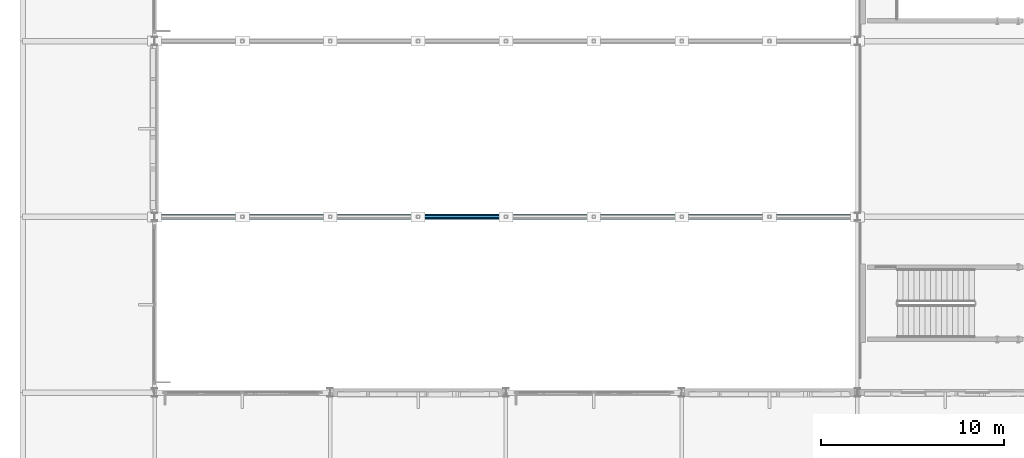
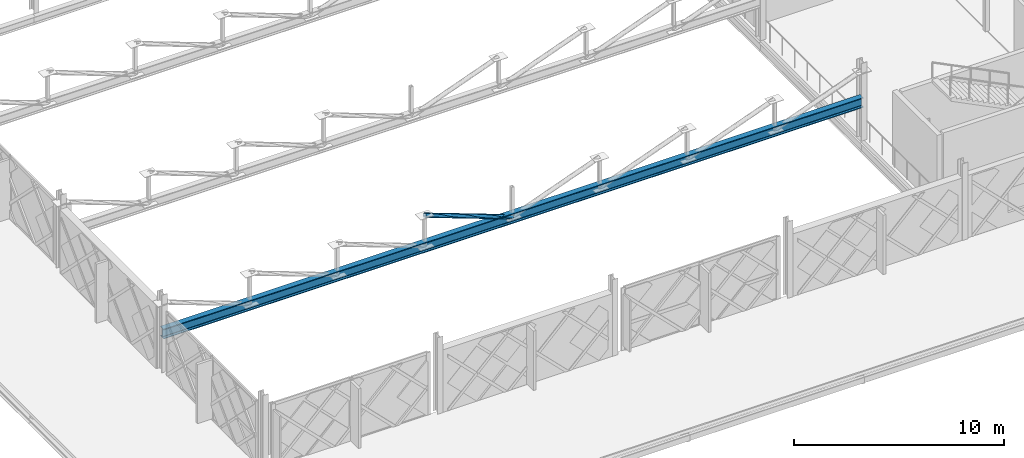
# One storey, part 25 of 101: 2 members.
"""IFC4 building model written with IfcOpenShell, lengths in metres."""

from ifc_helpers import new_model, si_unit, direction, frame, origin, origin_2d, place, context, subcontext, project, spatial, hollow_circle, i_section, extrude, material, material_profile, profile_set, type_object, element, save


model = new_model("IFC4")

# Units and contexts
model_context = context("Model", 3, precision=1e-05, world=origin(), true_north=direction((0.0, 1.0)))
body_context = subcontext(model_context, "Body", "Model", "MODEL_VIEW")
ifc_project = project(units=[si_unit("LENGTHUNIT", "METRE"), si_unit("AREAUNIT", "SQUARE_METRE"), si_unit("VOLUMEUNIT", "CUBIC_METRE"), si_unit("PLANEANGLEUNIT", "RADIAN"), si_unit("MASSUNIT", "GRAM", prefix="KILO")], contexts=[model_context])

# Site, building, storey
site_placement = place(None, origin())
site = spatial("IfcSite", under=ifc_project, at=site_placement, CompositionType="ELEMENT")
building_placement = place(site_placement, origin())
building = spatial("IfcBuilding", under=site, at=building_placement, Name="Zevrakil Square Congress Hotel", CompositionType="ELEMENT")
storey_placement = place(building_placement, frame((0.0, 0.0, 5.39990234375)))
storey = spatial("IfcBuildingStorey", under=building, at=storey_placement, Name="L02", CompositionType="ELEMENT", Elevation=5.39990234375)

# Members
ifc_material_1 = material(Name="Steel S355", Category="steel")
ifc_material_profile_1 = material_profile(ifc_material_1, hollow_circle(Radius=0.122314453125, WallThickness=0.012451171875, at=origin_2d()), Name="CHS 244.5x12.5")
ifc_profile_set_1 = profile_set([ifc_material_profile_1], Name="Steel S355")
member_type_1 = type_object("IfcMemberType", Name="MEM-BRACE-CHS244", PredefinedType="BRACE", material=ifc_profile_set_1)
member_1_placement = place(storey_placement, frame((21.60009765625, 16.800048828125, 3.925048828125), z_axis=(0.937927036135, 0.0, -0.346832632386), x_axis=(0.0, 1.0, 0.0)))
element("IfcMember", 1, at=member_1_placement, inside=storey, type_object=member_type_1, Name="Ballroom Pratt truss diagonal BTD-13", PredefinedType="BRACE", context=body_context, shape_type="SweptSolid", body=[
    extrude(hollow_circle(Radius=0.122314453125, WallThickness=0.012451171875, at=origin_2d()), origin(), (0.0, 0.0, 1.0), 5.117431640625),
])
ifc_material_2 = material(Name="Steel S355", Category="steel")
ifc_material_profile_2 = material_profile(ifc_material_2, i_section(OverallWidth=0.305908203125, OverallDepth=0.572021484375, WebThickness=0.02099609375, FlangeThickness=0.0400390625, FilletRadius=0.027099609375, at=origin_2d()), Name="HEM 550")
ifc_profile_set_2 = profile_set([ifc_material_profile_2], Name="Steel S355")
member_type_2 = type_object("IfcMemberType", Name="MEM-CHORD-HEM550", PredefinedType="CHORD", material=ifc_profile_set_2)
member_2_placement = place(storey_placement, frame((7.199951171875, 16.800048828125, 2.150146484375), z_axis=(1.0, 0.0, 0.0), x_axis=(0.0, 1.0, 0.0)))
element("IfcMember", 2, at=member_2_placement, inside=storey, type_object=member_type_2, Name="Ballroom Pratt truss bottom chord BBC-01", PredefinedType="CHORD", context=body_context, shape_type="SweptSolid", body=[
    extrude(i_section(OverallWidth=0.305908203125, OverallDepth=0.572021484375, WebThickness=0.02099609375, FlangeThickness=0.0400390625, FilletRadius=0.027099609375, at=origin_2d()), origin(), (0.0, 0.0, 1.0), 38.400146484375),
])

save(model, "model.ifc")
